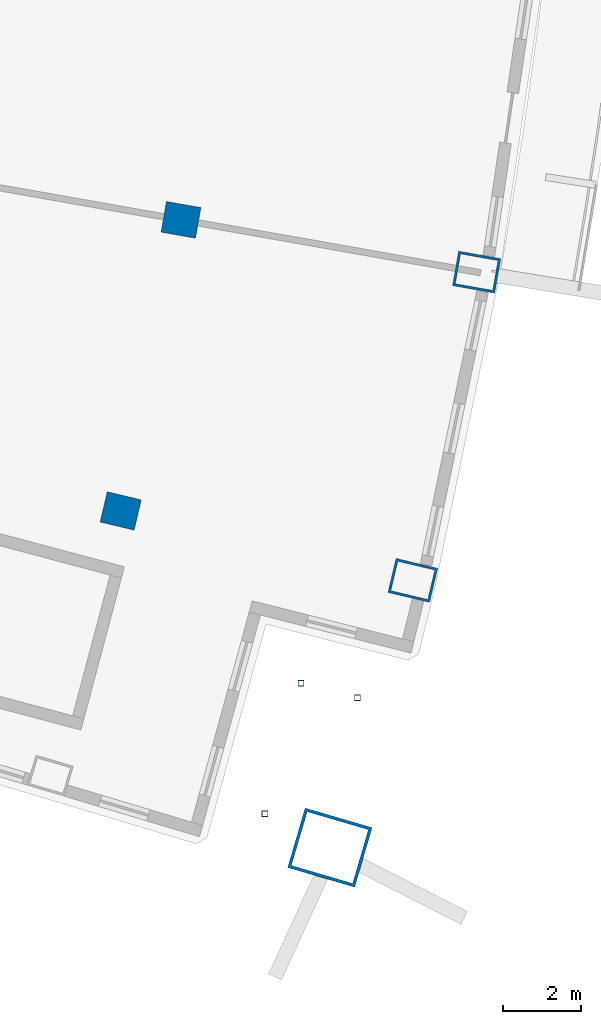
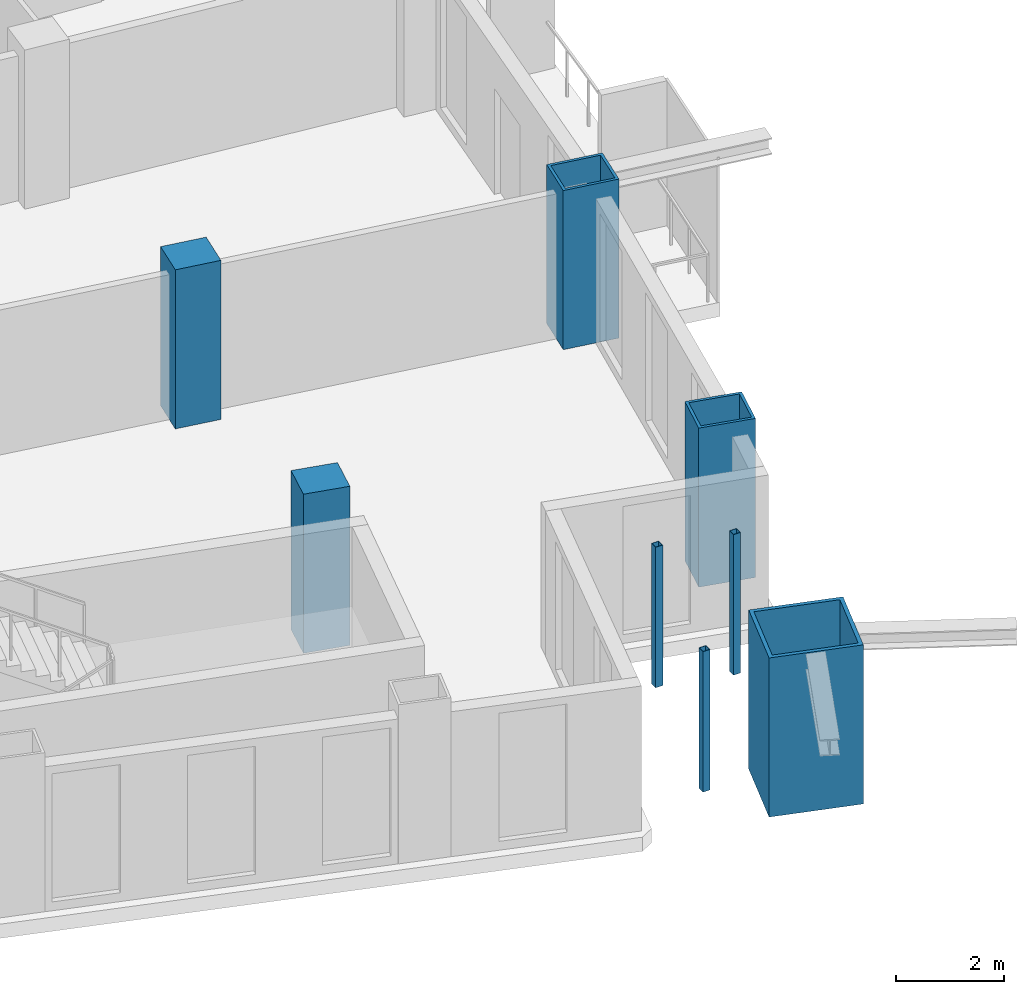
# One storey, part 5 of 20: 8 columns.
"""IFC4 building model written with IfcOpenShell, lengths in metres."""

import ifcopenshell
import ifcopenshell.guid

model = None  # the IFC model being written
_history = None  # IfcOwnerHistory: only IFC2X3 demands one
_inside = {}  # id of a spatial element -> (the spatial element, [elements in it])
_under = {}  # id of a project, library or spatial element -> (it, [spatial elements below it])
_declared = {}  # id of a project -> (the project, [libraries it declares])
_typed = {}  # id of a type object -> (the type object, [elements of that type])
_made_of = {}  # id of a material, layer set ... -> (it, [elements and type objects made of it])


def new_model(schema):
    """Start an empty IFC model of exactly this schema.

    Asked for "IFC4X3", IfcOpenShell would pick the latest addendum, in which some entities
    have other attributes; the version numbers below select the first issue.
    IFC2X3 requires an IfcOwnerHistory on every rooted entity: one is made here for all.
    """
    global model, _history
    if schema == "IFC4X3":
        model = ifcopenshell.file(schema_version=(4, 3, 0, 0))
    else:
        model = ifcopenshell.file(schema=schema)
    _inside.clear()
    _under.clear()
    _declared.clear()
    _typed.clear()
    _made_of.clear()
    _history = None
    if model.schema == "IFC2X3":
        org = make("IfcOrganization", Name="unknown")
        user = make(
            "IfcPersonAndOrganization",
            ThePerson=make("IfcPerson", FamilyName="unknown"),
            TheOrganization=org,
        )
        app = make(
            "IfcApplication",
            ApplicationDeveloper=org,
            Version="unknown",
            ApplicationFullName="unknown",
            ApplicationIdentifier="unknown",
        )
        _history = make(
            "IfcOwnerHistory",
            OwningUser=user,
            OwningApplication=app,
            ChangeAction="ADDED",
            CreationDate=0,
        )
    return model


def make(cls, **values):
    """One entity of the class cls with the attributes given. An attribute that is None is left unset."""
    return model.create_entity(
        cls, **{name: value for name, value in values.items() if value is not None}
    )


def rooted(cls, **values):
    """An entity with a GlobalId (a new one), such as an element, a storey or a relation."""
    return make(cls, GlobalId=ifcopenshell.guid.new(), OwnerHistory=_history, **values)


def si_unit(unit_type, name, prefix=None):
    """IfcSIUnit, for example si_unit("LENGTHUNIT", "METRE", prefix="MILLI")."""
    return make("IfcSIUnit", UnitType=unit_type, Prefix=prefix, Name=name)


def assignment(units):
    """IfcUnitAssignment: the units of a project."""
    return None if units is None else make("IfcUnitAssignment", Units=units)


def point(xyz):
    """IfcCartesianPoint."""
    return None if xyz is None else make("IfcCartesianPoint", Coordinates=xyz)


def direction(xyz):
    """IfcDirection."""
    return None if xyz is None else make("IfcDirection", DirectionRatios=xyz)


def frame(location, z_axis=None, x_axis=None):
    """IfcAxis2Placement3D, a coordinate frame: its origin and axes. An axis left out is left unset."""
    return make(
        "IfcAxis2Placement3D",
        Location=point(location),
        Axis=direction(z_axis),
        RefDirection=direction(x_axis),
    )


def frame_2d(location, x_axis=None):
    """IfcAxis2Placement2D, a coordinate frame in the plane: its origin and x axis."""
    return make(
        "IfcAxis2Placement2D", Location=point(location), RefDirection=direction(x_axis)
    )


def origin():
    """The frame at (0, 0, 0) with its axes left unset."""
    return frame((0.0, 0.0, 0.0))


def origin_2d():
    """The frame at (0, 0) in the plane with its x axis left unset."""
    return frame_2d((0.0, 0.0))


def place(relative_to, where):
    """IfcLocalPlacement: puts the frame where relative to a parent placement (None: the world)."""
    return make(
        "IfcLocalPlacement", PlacementRelTo=relative_to, RelativePlacement=where
    )


def context(
    kind, dimensions, precision=None, world=None, true_north=None, identifier=None
):
    """IfcGeometricRepresentationContext, for example the 3D "Model" context."""
    return make(
        "IfcGeometricRepresentationContext",
        ContextIdentifier=identifier,
        ContextType=kind,
        CoordinateSpaceDimension=dimensions,
        Precision=precision,
        WorldCoordinateSystem=world,
        TrueNorth=true_north,
    )


def subcontext(parent, identifier, kind, view, scale=None):
    """IfcGeometricRepresentationSubContext, for example "Body" below "Model"."""
    return make(
        "IfcGeometricRepresentationSubContext",
        ContextIdentifier=identifier,
        ContextType=kind,
        ParentContext=parent,
        TargetScale=scale,
        TargetView=view,
    )


def project(units=None, contexts=None):
    """IfcProject with its units and contexts."""
    return rooted(
        "IfcProject",
        Name="project",
        RepresentationContexts=contexts,
        UnitsInContext=assignment(units),
    )


def spatial(cls, under=None, at=None, **own):
    """A site, building, storey or space (cls), placed at a placement, below another one or the project."""
    s = rooted(cls, ObjectPlacement=at, **own)
    if under is not None:
        _under.setdefault(under.id(), (under, []))[1].append(s)
    return s


def profile(cls, at=None, kind="AREA", **sizes):
    """A parametric profile (cls). Its sizes go by their IFC names, for example OverallWidth=200.0."""
    return make(cls, ProfileType=kind, Position=at, **sizes)


def rectangle(**sizes):
    """IfcRectangleProfileDef."""
    return profile("IfcRectangleProfileDef", **sizes)


def hollow_rectangle(**sizes):
    """IfcRectangleHollowProfileDef."""
    return profile("IfcRectangleHollowProfileDef", **sizes)


def extrude(swept, where, along, depth):
    """IfcExtrudedAreaSolid: the profile swept, set in the frame where, extruded along a direction by depth."""
    return make(
        "IfcExtrudedAreaSolid",
        SweptArea=swept,
        Position=where,
        ExtrudedDirection=direction(along),
        Depth=depth,
    )


def shape(context_of_items, identifier, shape_type, items):
    """IfcShapeRepresentation: the items that make up one representation, for example the "Body"."""
    return make(
        "IfcShapeRepresentation",
        ContextOfItems=context_of_items,
        RepresentationIdentifier=identifier,
        RepresentationType=shape_type,
        Items=items,
    )


def material(Name=None, Category=None):
    """IfcMaterial."""
    return make("IfcMaterial", Name=Name, Category=Category)


def material_profile(
    of_material, cross_section, Name=None, Category=None, Priority=None
):
    """IfcMaterialProfile: a cross section and its material."""
    return make(
        "IfcMaterialProfile",
        Name=Name,
        Material=of_material,
        Profile=cross_section,
        Priority=Priority,
        Category=Category,
    )


def profile_set(profiles, Name=None, composite=None):
    """IfcMaterialProfileSet."""
    return make(
        "IfcMaterialProfileSet",
        Name=Name,
        MaterialProfiles=profiles,
        CompositeProfile=composite,
    )


def made_of(thing, what):
    """Note that an element or type object is made of a material, layer set ...; save() writes the relation."""
    if what is not None:
        _made_of.setdefault(what.id(), (what, []))[1].append(thing)
    return thing


def type_object(cls, material=None, **own):
    """A type object (cls), such as IfcWallType, which elements share."""
    return made_of(rooted(cls, **own), material)


def element(
    cls,
    number,
    at=None,
    inside=None,
    cuts=None,
    type_object=None,
    material=None,
    context=None,
    identifier="Body",
    shape_type=None,
    held_by="IfcProductDefinitionShape",
    body=None,
    shapes=None,
    **own,
):
    """One element of the class cls, such as IfcWall. Its Tag is "e" and its number.

    at: its placement. inside: the storey or other place that contains it. cuts: it is an
    opening in that element (IfcRelVoidsElement). A single representation is given by context,
    identifier, shape_type and body (its items); several are given by shapes. held_by: the class
    of the entity that holds the representations. save() writes the other relations.
    """
    e = rooted(cls, Tag="e%d" % number, ObjectPlacement=at, **own)
    if body is not None:
        shapes = [shape(context, identifier, shape_type, body)]
    if shapes is not None:
        e.Representation = make(held_by, Representations=shapes)
    if inside is not None:
        _inside.setdefault(inside.id(), (inside, []))[1].append(e)
    if cuts is not None:
        rooted(
            "IfcRelVoidsElement", RelatingBuildingElement=cuts, RelatedOpeningElement=e
        )
    if type_object is not None:
        _typed.setdefault(type_object.id(), (type_object, []))[1].append(e)
    return made_of(e, material)


def aggregate(whole, parts):
    """IfcRelAggregates: a whole, such as a stair, and the parts it consists of."""
    return rooted("IfcRelAggregates", RelatingObject=whole, RelatedObjects=parts)


def save(model, path):
    """Write the relations noted so far, then the file.

    IfcRelAggregates (storeys below a building ...), IfcRelContainedInSpatialStructure (elements
    in a storey), IfcRelDefinesByType, IfcRelAssociatesMaterial and IfcRelDeclares: one each for
    every whole, place, type object, material and project.
    """
    for whole, parts in _under.values():
        aggregate(whole, parts)
    for where, things in _inside.values():
        rooted(
            "IfcRelContainedInSpatialStructure",
            RelatedElements=things,
            RelatingStructure=where,
        )
    for kind, things in _typed.values():
        rooted("IfcRelDefinesByType", RelatedObjects=things, RelatingType=kind)
    for what, things in _made_of.values():
        rooted("IfcRelAssociatesMaterial", RelatedObjects=things, RelatingMaterial=what)
    for by, libraries in _declared.values():
        rooted("IfcRelDeclares", RelatingContext=by, RelatedDefinitions=libraries)
    model.write(path)


model = new_model("IFC4")

# Units and contexts
model_context = context("Model", 3, precision=1e-05, world=origin(), true_north=direction((0.0, 1.0)))
body_context = subcontext(model_context, "Body", "Model", "MODEL_VIEW")
ifc_project = project(units=[si_unit("LENGTHUNIT", "METRE"), si_unit("AREAUNIT", "SQUARE_METRE"), si_unit("VOLUMEUNIT", "CUBIC_METRE"), si_unit("PLANEANGLEUNIT", "RADIAN"), si_unit("MASSUNIT", "GRAM", prefix="KILO")], contexts=[model_context])

# Site, building, storey
site_placement = place(None, origin())
site = spatial("IfcSite", under=ifc_project, at=site_placement, CompositionType="ELEMENT")
building_placement = place(site_placement, origin())
building = spatial("IfcBuilding", under=site, at=building_placement, Name="Alderwake Tower", CompositionType="ELEMENT")
storey_placement = place(building_placement, frame((0.0, 0.0, 178.39990234375)))
storey = spatial("IfcBuildingStorey", under=building, at=storey_placement, Name="L44", CompositionType="ELEMENT", Elevation=178.39990234375)

# Columns
ifc_material_1 = material(Name="Concrete C70/85", Category="concrete")
ifc_material_profile_1 = material_profile(ifc_material_1, rectangle(XDim=0.800048828125, YDim=0.89990234375, at=origin_2d()), Name="RC 900X800")
ifc_profile_set_1 = profile_set([ifc_material_profile_1], Name="Concrete C70/85")
column_type_1 = type_object("IfcColumnType", Name="Interior column Z3", PredefinedType="COLUMN", material=ifc_profile_set_1)
for number, where, z_axis, x_axis, name in (
    (1, (47.70947265625, 30.648193359375, 0.0), (0.0, 0.0, 1.0), (0.231221547198, 0.972901123502, 0.0), "Column R03-C4"),
    (2, (49.26171875, 38.1455078125, 0.0), (0.0, 0.0, 1.0), (0.174108800747, 0.984726421654, 0.0), "Column R04-C4"),
):
    element("IfcColumn", number, at=place(storey_placement, frame(where, z_axis=z_axis, x_axis=x_axis)), inside=storey, type_object=column_type_1, Name=name, PredefinedType="COLUMN", context=body_context, shape_type="SweptSolid", body=[
        extrude(rectangle(XDim=0.800048828125, YDim=0.89990234375, at=origin_2d()), origin(), (0.0, 0.0, 1.0), 3.60009765625),
    ])
ifc_material_2 = material(Name="Steel ASTM A500 Grade C", Category="steel")
ifc_material_profile_2 = material_profile(ifc_material_2, hollow_rectangle(XDim=0.15234375, YDim=0.15234375, WallThickness=0.0087890625, at=origin_2d()), Name="HSS6X6X3/8")
ifc_profile_set_2 = profile_set([ifc_material_profile_2], Name="Steel ASTM A500 Grade C")
column_type_2 = type_object("IfcColumnType", Name="Light post HSS6X6X3/8", PredefinedType="COLUMN", material=ifc_profile_set_2)
for number, where, z_axis, x_axis, name in (
    (3, (53.807861328125, 25.840576171875, 0.0), (0.0, 0.0, 1.0), (1.0, 0.0, 0.0), "Terrace post FS1"),
    (4, (51.42431640625, 22.847900390625, 0.0), (0.0, 0.0, 1.0), (1.0, 0.0, 0.0), "Terrace post FS2"),
    (5, (52.353759765625, 26.208740234375, 0.0), (0.0, 0.0, 1.0), (1.0, 0.0, 0.0), "Terrace post FS3"),
):
    element("IfcColumn", number, at=place(storey_placement, frame(where, z_axis=z_axis, x_axis=x_axis)), inside=storey, type_object=column_type_2, Name=name, PredefinedType="COLUMN", context=body_context, shape_type="SweptSolid", body=[
        extrude(hollow_rectangle(XDim=0.15234375, YDim=0.15234375, WallThickness=0.0087890625, at=origin_2d()), origin(), (0.0, 0.0, 1.0), 3.18017578125),
    ])
ifc_material_3 = material(Name="Steel ASTM A572 Grade 50 concrete filled C70/85", Category="concrete")
ifc_material_profile_3 = material_profile(ifc_material_3, hollow_rectangle(XDim=1.60009765625, YDim=1.800048828125, WallThickness=0.080078125, at=origin_2d()), Name="BOX 1800X1600X80")
ifc_profile_set_3 = profile_set([ifc_material_profile_3], Name="Steel ASTM A572 Grade 50 concrete filled C70/85")
column_type_3 = type_object("IfcColumnType", Name="Mega column Z3", PredefinedType="COLUMN", material=ifc_profile_set_3)
column_placement = place(storey_placement, frame((53.09765625, 21.977783203125, 0.0), z_axis=(0.0, 0.0, 1.0), x_axis=(0.281341735468, 0.959607642677, 0.0)))
element("IfcColumn", 6, at=column_placement, inside=storey, type_object=column_type_3, Name="Column R02-C5", PredefinedType="COLUMN", context=body_context, shape_type="SweptSolid", body=[
    extrude(hollow_rectangle(XDim=1.60009765625, YDim=1.800048828125, WallThickness=0.080078125, at=origin_2d()), origin(), (0.0, 0.0, 1.0), 3.60009765625),
])
ifc_material_4 = material(Name="Steel ASTM A572 Grade 50 concrete filled C70/85", Category="concrete")
ifc_material_profile_4 = material_profile(ifc_material_4, hollow_rectangle(XDim=0.89990234375, YDim=1.10009765625, WallThickness=0.06005859375, at=origin_2d()), Name="BOX 1100X900X60")
ifc_profile_set_4 = profile_set([ifc_material_profile_4], Name="Steel ASTM A572 Grade 50 concrete filled C70/85")
column_type_4 = type_object("IfcColumnType", Name="Perimeter column Z3", PredefinedType="COLUMN", material=ifc_profile_set_4)
for number, where, z_axis, x_axis, name in (
    (7, (55.233154296875, 28.860107421875, 0.0), (0.0, 0.0, 1.0), (0.231221547198, 0.972901123502, 0.0), "Column R03-C5"),
    (8, (56.876953125, 36.799072265625, 0.0), (0.0, 0.0, 1.0), (0.174107082075, 0.984726725529, 0.0), "Column R04-C5"),
):
    element("IfcColumn", number, at=place(storey_placement, frame(where, z_axis=z_axis, x_axis=x_axis)), inside=storey, type_object=column_type_4, Name=name, PredefinedType="COLUMN", context=body_context, shape_type="SweptSolid", body=[
        extrude(hollow_rectangle(XDim=0.89990234375, YDim=1.10009765625, WallThickness=0.06005859375, at=origin_2d()), origin(), (0.0, 0.0, 1.0), 3.60009765625),
    ])

save(model, "model.ifc")
